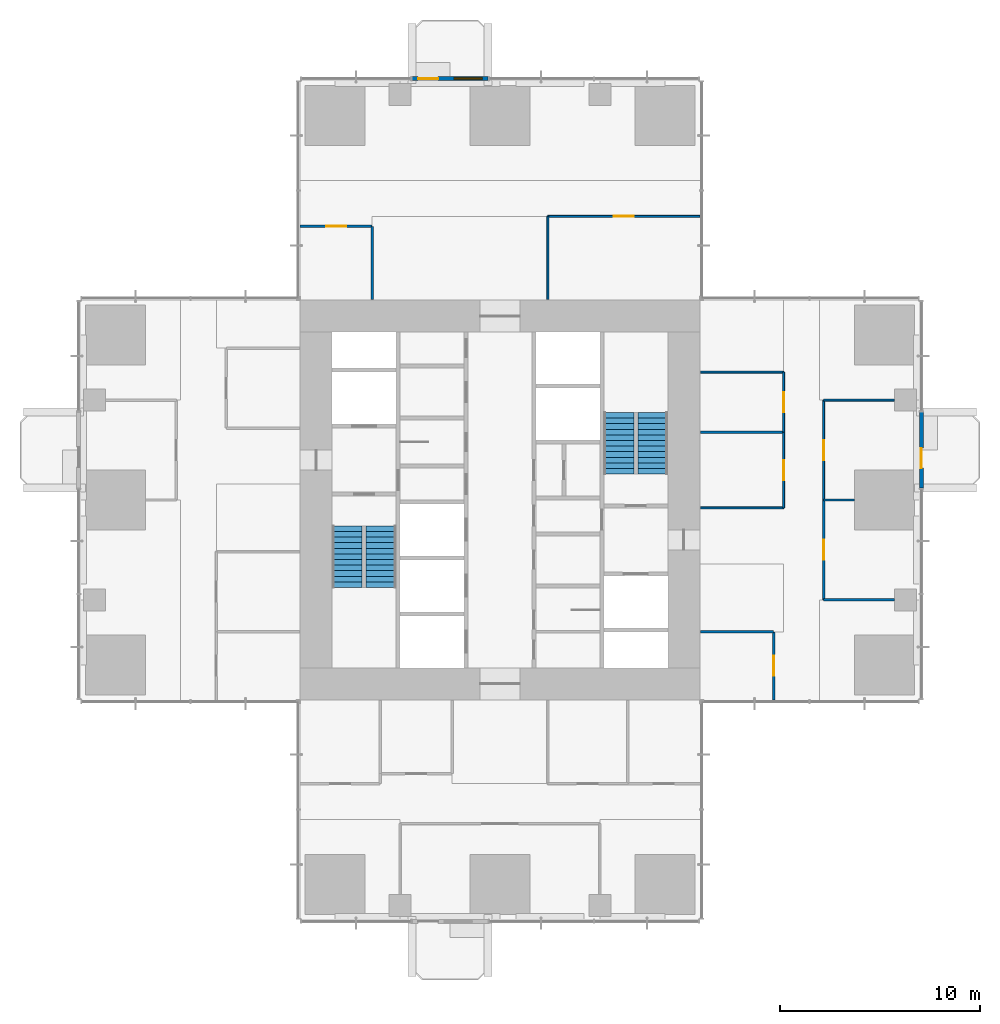
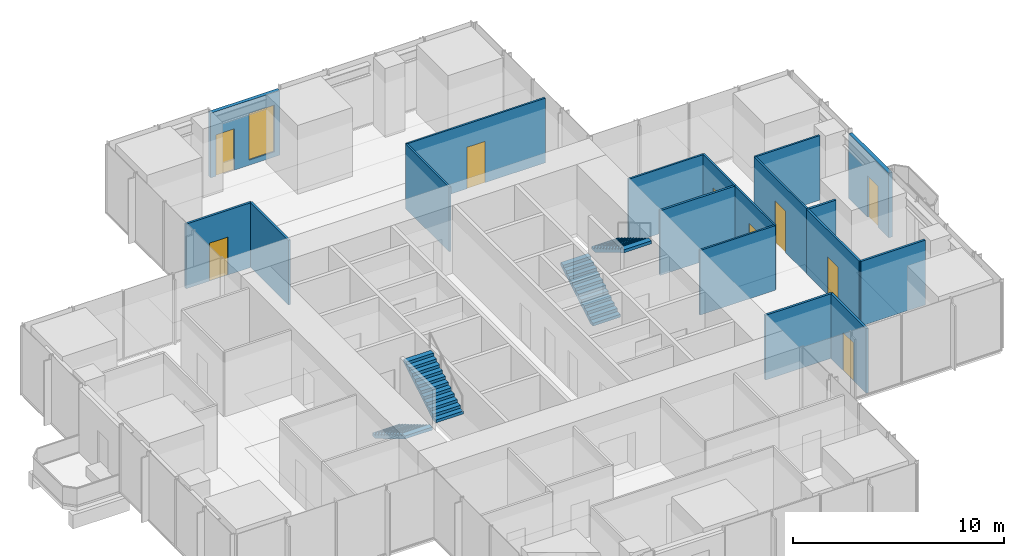
# One storey, part 10 of 13: 18 walls, 9 doors, 4 stair flights, 1 window, 10 openings, 2 elements without a shape of their own.
"""IFC4 building model written with IfcOpenShell, lengths in metres."""

from ifc_helpers import new_model, si_unit, direction, frame, frame_2d, origin, place, context, subcontext, project, spatial, polyline, rectangle, outline, extrude, material, layer, layer_set, type_object, element, fill, aggregate, save


model = new_model("IFC4")

# Units and contexts
model_context = context("Model", 3, precision=1e-05, world=origin(), true_north=direction((0.0, 1.0)))
body_context = subcontext(model_context, "Body", "Model", "MODEL_VIEW")
ifc_project = project(units=[si_unit("LENGTHUNIT", "METRE"), si_unit("AREAUNIT", "SQUARE_METRE"), si_unit("VOLUMEUNIT", "CUBIC_METRE"), si_unit("PLANEANGLEUNIT", "RADIAN"), si_unit("MASSUNIT", "GRAM", prefix="KILO")], contexts=[model_context])

# Site, building, storey
site_placement = place(None, origin())
site = spatial("IfcSite", under=ifc_project, at=site_placement, CompositionType="ELEMENT")
building_placement = place(site_placement, origin())
building = spatial("IfcBuilding", under=site, at=building_placement, Name="Svetlomir Tower", CompositionType="ELEMENT")
storey_placement = place(building_placement, frame((0.0, 0.0, 148.5)))
storey = spatial("IfcBuildingStorey", under=building, at=storey_placement, Name="L35", CompositionType="ELEMENT", Elevation=148.5)

# Wall, opening, door
ifc_material_1 = material(Name="Bronze anodised aluminium glazed screen", Category="aluminium")
ifc_layer_1 = layer(ifc_material_1, 0.199951171875)
ifc_layer_set_1 = layer_set([ifc_layer_1], Name="Bronze anodised aluminium glazed screen")
wall_type_1 = type_object("IfcWallType", Name="BALCONY SCREEN WALL 200", PredefinedType="USERDEFINED", material=ifc_layer_set_1)
wall_1_placement = place(storey_placement, frame((42.10009765625, 21.60009765625, 0.0), z_axis=(0.0, 0.0, 1.0), x_axis=(0.0, 1.0, 0.0)))
wall_1 = element("IfcWall", 1, at=wall_1_placement, inside=storey, type_object=wall_type_1, Name="Balcony screen E", ObjectType="GLAZED SCREEN", PredefinedType="USERDEFINED", context=body_context, shape_type="SweptSolid", body=[
    extrude(rectangle(XDim=3.7998046875, YDim=0.199951171875, at=frame_2d((1.89990234375, 0.0))), origin(), (0.0, 0.0, 1.0), 3.75),
])
opening_1_placement = place(wall_1_placement, frame((1.0, 0.0, 0.0)))
opening_1 = element("IfcOpeningElement", 2, at=opening_1_placement, cuts=wall_1, Name="Opening BD", PredefinedType="OPENING", context=body_context, shape_type="SweptSolid", body=[
    extrude(rectangle(XDim=1.0, YDim=2.39990234375, at=frame_2d((0.5, 1.199951171875))), frame((0.0, 0.10986328125, 0.0), z_axis=(0.0, -1.0, 0.0), x_axis=(1.0, 0.0, 0.0)), (0.0, 0.0, 1.0), 0.219970703125),
])
ifc_material_2 = material(Name="Bronze anodised aluminium glazed door", Category="aluminium")
door_type_1 = type_object("IfcDoorType", Name="BALCONY DOOR BD 1000x2400", OperationType="SINGLE_SWING_LEFT", PredefinedType="DOOR", material=ifc_material_2)
door_1_placement = place(opening_1_placement, origin())
door_1 = element("IfcDoor", 3, at=door_1_placement, inside=storey, type_object=door_type_1, Name="Balcony screen E door", OperationType="SINGLE_SWING_LEFT", OverallHeight=2.39990234375, OverallWidth=1.0, PredefinedType="DOOR", context=body_context, shape_type="SweptSolid", body=[
    extrude(rectangle(XDim=1.0, YDim=2.39990234375, at=frame_2d((0.5, 1.199951171875))), frame((0.0, 0.02490234375, 0.0), z_axis=(0.0, -1.0, 0.0), x_axis=(1.0, 0.0, 0.0)), (0.0, 0.0, 1.0), 0.050048828125),
])
fill(opening_1, door_1)

# Wall, openings, door, window
wall_2_placement = place(storey_placement, frame((20.39990234375, 42.10009765625, 0.0), z_axis=(0.0, 0.0, 1.0), x_axis=(-1.0, 0.0, 0.0)))
wall_2 = element("IfcWall", 4, at=wall_2_placement, inside=storey, type_object=wall_type_1, Name="Balcony screen N", ObjectType="GLAZED SCREEN", PredefinedType="USERDEFINED", context=body_context, shape_type="SweptSolid", body=[
    extrude(rectangle(XDim=3.7998046875, YDim=0.199951171875, at=frame_2d((1.89990234375, 0.0))), origin(), (0.0, 0.0, 1.0), 3.75),
])
opening_2_placement = place(wall_2_placement, frame((2.5, 0.0, 0.0)))
opening_2 = element("IfcOpeningElement", 5, at=opening_2_placement, cuts=wall_2, Name="Opening BD", PredefinedType="OPENING", context=body_context, shape_type="SweptSolid", body=[
    extrude(rectangle(XDim=1.0, YDim=2.39990234375, at=frame_2d((0.5, 1.199951171875))), frame((0.0, 0.10986328125, 0.0), z_axis=(0.0, -1.0, 0.0), x_axis=(1.0, 0.0, 0.0)), (0.0, 0.0, 1.0), 0.219970703125),
])
opening_3_placement = place(wall_2_placement, frame((0.300048828125, 0.0, 0.300048828125)))
opening_3 = element("IfcOpeningElement", 6, at=opening_3_placement, cuts=wall_2, Name="Opening WS2", PredefinedType="OPENING", context=body_context, shape_type="SweptSolid", body=[
    extrude(rectangle(XDim=1.39990234375, YDim=2.699951171875, at=frame_2d((0.699951171875, 1.35009765625))), frame((0.0, 0.10986328125, 0.0), z_axis=(0.0, -1.0, 0.0), x_axis=(1.0, 0.0, 0.0)), (0.0, 0.0, 1.0), 0.219970703125),
])
door_2_placement = place(opening_2_placement, origin())
door_2 = element("IfcDoor", 7, at=door_2_placement, inside=storey, type_object=door_type_1, Name="Balcony screen N door", OperationType="SINGLE_SWING_LEFT", OverallHeight=2.39990234375, OverallWidth=1.0, PredefinedType="DOOR", context=body_context, shape_type="SweptSolid", body=[
    extrude(rectangle(XDim=1.0, YDim=2.39990234375, at=frame_2d((0.5, 1.199951171875))), frame((0.0, 0.02490234375, 0.0), z_axis=(0.0, -1.0, 0.0), x_axis=(1.0, 0.0, 0.0)), (0.0, 0.0, 1.0), 0.050048828125),
])
fill(opening_2, door_2)
ifc_material_3 = material(Name="Bronze anodised aluminium window", Category="aluminium")
window_type = type_object("IfcWindowType", Name="SCREEN WINDOW WS2 1400x2700", PartitioningType="SINGLE_PANEL", PredefinedType="WINDOW", material=ifc_material_3)
window_placement = place(opening_3_placement, origin())
window = element("IfcWindow", 8, at=window_placement, inside=storey, type_object=window_type, Name="Balcony screen N window 1", OverallHeight=2.699951171875, OverallWidth=1.39990234375, PartitioningType="SINGLE_PANEL", PredefinedType="WINDOW", context=body_context, shape_type="SweptSolid", body=[
    extrude(rectangle(XDim=1.39990234375, YDim=2.699951171875, at=frame_2d((0.699951171875, 1.35009765625))), frame((0.0, 0.030029296875, 0.0), z_axis=(0.0, -1.0, 0.0), x_axis=(1.0, 0.0, 0.0)), (0.0, 0.0, 1.0), 0.06005859375),
])
fill(opening_3, window)

# Wall
ifc_material_4 = material(Name="Framed laminated glass partition", Category="glass")
ifc_layer_2 = layer(ifc_material_4, 0.10009765625)
ifc_layer_set_2 = layer_set([ifc_layer_2], Name="Framed laminated glass partition")
wall_type_2 = type_object("IfcWallType", Name="GLAZED PARTITION 100", PredefinedType="PARTITIONING", material=ifc_layer_set_2)
wall_3_placement = place(storey_placement, frame((23.39990234375, 31.050048828125, 0.0), z_axis=(0.0, 0.0, 1.0), x_axis=(0.0, 1.0, 0.0)))
element("IfcWall", 9, at=wall_3_placement, inside=storey, type_object=wall_type_2, Name="Glazed partition L35", PredefinedType="PARTITIONING", context=body_context, shape_type="SweptSolid", body=[
    extrude(rectangle(XDim=4.14990234375, YDim=0.10009765625, at=frame_2d((2.074951171875, 0.0))), origin(), (0.0, 0.0, 1.0), 3.75),
])

# Wall, opening, door
wall_4_placement = place(storey_placement, frame((23.39990234375, 35.199951171875, 0.0), z_axis=(0.0, 0.0, 1.0), x_axis=(1.0, 0.0, 0.0)))
wall_4 = element("IfcWall", 10, at=wall_4_placement, inside=storey, type_object=wall_type_2, Name="Glazed partition L35", PredefinedType="PARTITIONING", context=body_context, shape_type="SweptSolid", body=[
    extrude(rectangle(XDim=7.60009765625, YDim=0.10009765625, at=frame_2d((3.800048828125, 0.0))), origin(), (0.0, 0.0, 1.0), 3.75),
])
opening_4_placement = place(wall_4_placement, frame((3.300048828125, 0.0, 0.0)))
opening_4 = element("IfcOpeningElement", 11, at=opening_4_placement, cuts=wall_4, Name="Opening DG", PredefinedType="OPENING", context=body_context, shape_type="SweptSolid", body=[
    extrude(rectangle(XDim=1.0, YDim=2.39990234375, at=frame_2d((0.5, 1.199951171875))), frame((0.0, 0.06005859375, 0.0), z_axis=(0.0, -1.0, 0.0), x_axis=(1.0, 0.0, 0.0)), (0.0, 0.0, 1.0), 0.1201171875),
])
ifc_material_5 = material(Name="Framed laminated glass door", Category="glass")
door_type_2 = type_object("IfcDoorType", Name="GLAZED DOOR DG 1000x2400", OperationType="SINGLE_SWING_LEFT", PredefinedType="DOOR", material=ifc_material_5)
door_3_placement = place(opening_4_placement, origin())
door_3 = element("IfcDoor", 12, at=door_3_placement, inside=storey, type_object=door_type_2, Name="Risk committee room, 12 seats door L35", OperationType="SINGLE_SWING_RIGHT", OverallHeight=2.39990234375, OverallWidth=1.0, PredefinedType="DOOR", context=body_context, shape_type="SweptSolid", body=[
    extrude(rectangle(XDim=1.0, YDim=2.39990234375, at=frame_2d((0.5, 1.199951171875))), frame((0.0, 0.02490234375, 0.0), z_axis=(0.0, -1.0, 0.0), x_axis=(1.0, 0.0, 0.0)), (0.0, 0.0, 1.0), 0.050048828125),
])
fill(opening_4, door_3)

# Walls
for number, where, z_axis, x_axis, name in (
    (13, (31.050048828125, 20.60009765625, 0.0), (0.0, 0.0, 1.0), (1.0, 0.0, 0.0), "Glazed partition L35"),
    (14, (31.050048828125, 27.39990234375, 0.0), (0.0, 0.0, 1.0), (1.0, 0.0, 0.0), "Glazed partition L35"),
):
    element("IfcWall", number, at=place(storey_placement, frame(where, z_axis=z_axis, x_axis=x_axis)), inside=storey, type_object=wall_type_2, Name=name, PredefinedType="PARTITIONING", context=body_context, shape_type="SweptSolid", body=[
        extrude(rectangle(XDim=4.14990234375, YDim=0.10009765625, at=frame_2d((2.074951171875, 0.0))), origin(), (0.0, 0.0, 1.0), 3.75),
    ])

# Wall, opening, door
wall_5_placement = place(storey_placement, frame((35.199951171875, 20.60009765625, 0.0), z_axis=(0.0, 0.0, 1.0), x_axis=(0.0, 1.0, 0.0)))
wall_5 = element("IfcWall", 15, at=wall_5_placement, inside=storey, type_object=wall_type_2, Name="Glazed partition L35", PredefinedType="PARTITIONING", context=body_context, shape_type="SweptSolid", body=[
    extrude(rectangle(XDim=3.7998046875, YDim=0.10009765625, at=frame_2d((1.89990234375, 0.0))), origin(), (0.0, 0.0, 1.0), 3.75),
])
opening_5_placement = place(wall_5_placement, frame((1.39990234375, 0.0, 0.0)))
opening_5 = element("IfcOpeningElement", 16, at=opening_5_placement, cuts=wall_5, Name="Opening DG", PredefinedType="OPENING", context=body_context, shape_type="SweptSolid", body=[
    extrude(rectangle(XDim=1.0, YDim=2.39990234375, at=frame_2d((0.5, 1.199951171875))), frame((0.0, 0.06005859375, 0.0), z_axis=(0.0, -1.0, 0.0), x_axis=(1.0, 0.0, 0.0)), (0.0, 0.0, 1.0), 0.1201171875),
])
door_4_placement = place(opening_5_placement, origin())
door_4 = element("IfcDoor", 17, at=door_4_placement, inside=storey, type_object=door_type_2, Name="Meeting room, 6 seats door L35", OperationType="SINGLE_SWING_LEFT", OverallHeight=2.39990234375, OverallWidth=1.0, PredefinedType="DOOR", context=body_context, shape_type="SweptSolid", body=[
    extrude(rectangle(XDim=1.0, YDim=2.39990234375, at=frame_2d((0.5, 1.199951171875))), frame((0.0, 0.02490234375, 0.0), z_axis=(0.0, -1.0, 0.0), x_axis=(1.0, 0.0, 0.0)), (0.0, 0.0, 1.0), 0.050048828125),
])
fill(opening_5, door_4)

wall_6_placement = place(storey_placement, frame((35.199951171875, 24.39990234375, 0.0), z_axis=(0.0, 0.0, 1.0), x_axis=(0.0, 1.0, 0.0)))
wall_6 = element("IfcWall", 18, at=wall_6_placement, inside=storey, type_object=wall_type_2, Name="Glazed partition L35", PredefinedType="PARTITIONING", context=body_context, shape_type="SweptSolid", body=[
    extrude(rectangle(XDim=3.0, YDim=0.10009765625, at=frame_2d((1.5, 0.0))), origin(), (0.0, 0.0, 1.0), 3.75),
])
opening_6_placement = place(wall_6_placement, frame((1.0, 0.0, 0.0)))
opening_6 = element("IfcOpeningElement", 19, at=opening_6_placement, cuts=wall_6, Name="Opening DG", PredefinedType="OPENING", context=body_context, shape_type="SweptSolid", body=[
    extrude(rectangle(XDim=1.0, YDim=2.39990234375, at=frame_2d((0.5, 1.199951171875))), frame((0.0, 0.06005859375, 0.0), z_axis=(0.0, -1.0, 0.0), x_axis=(1.0, 0.0, 0.0)), (0.0, 0.0, 1.0), 0.1201171875),
])
door_5_placement = place(opening_6_placement, origin())
door_5 = element("IfcDoor", 20, at=door_5_placement, inside=storey, type_object=door_type_2, Name="Focus room 2 door L35", OperationType="SINGLE_SWING_RIGHT", OverallHeight=2.39990234375, OverallWidth=1.0, PredefinedType="DOOR", context=body_context, shape_type="SweptSolid", body=[
    extrude(rectangle(XDim=1.0, YDim=2.39990234375, at=frame_2d((0.5, 1.199951171875))), frame((0.0, 0.02490234375, 0.0), z_axis=(0.0, -1.0, 0.0), x_axis=(1.0, 0.0, 0.0)), (0.0, 0.0, 1.0), 0.050048828125),
])
fill(opening_6, door_5)

wall_7_placement = place(storey_placement, frame((37.199951171875, 21.0, 0.0), z_axis=(0.0, 0.0, 1.0), x_axis=(0.0, 1.0, 0.0)))
wall_7 = element("IfcWall", 21, at=wall_7_placement, inside=storey, type_object=wall_type_2, Name="Glazed partition L35", PredefinedType="PARTITIONING", context=body_context, shape_type="SweptSolid", body=[
    extrude(rectangle(XDim=5.0, YDim=0.10009765625, at=frame_2d((2.5, 0.0))), origin(), (0.0, 0.0, 1.0), 3.75),
])
opening_7_placement = place(wall_7_placement, frame((2.0, 0.0, 0.0)))
opening_7 = element("IfcOpeningElement", 22, at=opening_7_placement, cuts=wall_7, Name="Opening DG", PredefinedType="OPENING", context=body_context, shape_type="SweptSolid", body=[
    extrude(rectangle(XDim=1.0, YDim=2.39990234375, at=frame_2d((0.5, 1.199951171875))), frame((0.0, 0.06005859375, 0.0), z_axis=(0.0, -1.0, 0.0), x_axis=(1.0, 0.0, 0.0)), (0.0, 0.0, 1.0), 0.1201171875),
])
door_6_placement = place(opening_7_placement, origin())
door_6 = element("IfcDoor", 23, at=door_6_placement, inside=storey, type_object=door_type_2, Name="Break-out and kitchenette door L35", OperationType="SINGLE_SWING_RIGHT", OverallHeight=2.39990234375, OverallWidth=1.0, PredefinedType="DOOR", context=body_context, shape_type="SweptSolid", body=[
    extrude(rectangle(XDim=1.0, YDim=2.39990234375, at=frame_2d((0.5, 1.199951171875))), frame((0.0, 0.02490234375, 0.0), z_axis=(0.0, -1.0, 0.0), x_axis=(1.0, 0.0, 0.0)), (0.0, 0.0, 1.0), 0.050048828125),
])
fill(opening_7, door_6)

# Wall
wall_8_placement = place(storey_placement, frame((37.199951171875, 26.0, 0.0), z_axis=(0.0, 0.0, 1.0), x_axis=(1.0, 0.0, 0.0)))
element("IfcWall", 24, at=wall_8_placement, inside=storey, type_object=wall_type_2, Name="Glazed partition L35", PredefinedType="PARTITIONING", context=body_context, shape_type="SweptSolid", body=[
    extrude(rectangle(XDim=3.5400390625, YDim=0.10009765625, at=frame_2d((1.77001953125, 0.0))), origin(), (0.0, 0.0, 1.0), 3.75),
])

# Wall, opening, door
ifc_material_6 = material(Name="Gypsum board on steel studs", Category="steel")
ifc_layer_3 = layer(ifc_material_6, 0.1201171875)
ifc_layer_set_3 = layer_set([ifc_layer_3], Name="Gypsum board on steel studs")
wall_type_3 = type_object("IfcWallType", Name="PARTITION 120", PredefinedType="PARTITIONING", material=ifc_layer_set_3)
wall_9_placement = place(storey_placement, frame((11.0, 34.699951171875, 0.0), z_axis=(0.0, 0.0, 1.0), x_axis=(1.0, 0.0, 0.0)))
wall_9 = element("IfcWall", 25, at=wall_9_placement, inside=storey, type_object=wall_type_3, Name="Partition L35", PredefinedType="PARTITIONING", context=body_context, shape_type="SweptSolid", body=[
    extrude(rectangle(XDim=3.60009765625, YDim=0.1201171875, at=frame_2d((1.800048828125, 0.0))), origin(), (0.0, 0.0, 1.0), 3.75),
])
opening_8_placement = place(wall_9_placement, frame((1.300048828125, 0.0, 0.0)))
opening_8 = element("IfcOpeningElement", 26, at=opening_8_placement, cuts=wall_9, Name="Opening DR", PredefinedType="OPENING", context=body_context, shape_type="SweptSolid", body=[
    extrude(rectangle(XDim=1.0, YDim=2.199951171875, at=frame_2d((0.5, 1.10009765625))), frame((0.0, 0.070068359375, 0.0), z_axis=(0.0, -1.0, 0.0), x_axis=(1.0, 0.0, 0.0)), (0.0, 0.0, 1.0), 0.14013671875),
])
ifc_material_7 = material(Name="Timber door, glazed side light", Category="wood")
door_type_3 = type_object("IfcDoorType", Name="DOOR DR 1000x2200", OperationType="SINGLE_SWING_LEFT", PredefinedType="DOOR", material=ifc_material_7)
door_7_placement = place(opening_8_placement, origin())
door_7 = element("IfcDoor", 27, at=door_7_placement, inside=storey, type_object=door_type_3, Name="Store door L35", OperationType="SINGLE_SWING_RIGHT", OverallHeight=2.199951171875, OverallWidth=1.0, PredefinedType="DOOR", context=body_context, shape_type="SweptSolid", body=[
    extrude(rectangle(XDim=1.0, YDim=2.199951171875, at=frame_2d((0.5, 1.10009765625))), frame((0.0, 0.02490234375, 0.0), z_axis=(0.0, -1.0, 0.0), x_axis=(1.0, 0.0, 0.0)), (0.0, 0.0, 1.0), 0.050048828125),
])
fill(opening_8, door_7)

# Walls
for number, where, z_axis, x_axis, name in (
    (28, (14.60009765625, 31.050048828125, 0.0), (0.0, 0.0, 1.0), (0.0, 1.0, 0.0), "Partition L35"),
    (29, (31.050048828125, 14.39990234375, 0.0), (0.0, 0.0, 1.0), (1.0, 0.0, 0.0), "Partition L35"),
):
    element("IfcWall", number, at=place(storey_placement, frame(where, z_axis=z_axis, x_axis=x_axis)), inside=storey, type_object=wall_type_3, Name=name, PredefinedType="PARTITIONING", context=body_context, shape_type="SweptSolid", body=[
        extrude(rectangle(XDim=3.64990234375, YDim=0.1201171875, at=frame_2d((1.824951171875, 0.0))), origin(), (0.0, 0.0, 1.0), 3.75),
    ])
wall_10_placement = place(storey_placement, frame((31.050048828125, 24.39990234375, 0.0), z_axis=(0.0, 0.0, 1.0), x_axis=(1.0, 0.0, 0.0)))
element("IfcWall", 30, at=wall_10_placement, inside=storey, type_object=wall_type_3, Name="Partition L35", PredefinedType="PARTITIONING", context=body_context, shape_type="SweptSolid", body=[
    extrude(rectangle(XDim=4.14990234375, YDim=0.1201171875, at=frame_2d((2.074951171875, 0.0))), origin(), (0.0, 0.0, 1.0), 3.75),
])

# Wall, opening, door
wall_11_placement = place(storey_placement, frame((34.699951171875, 11.0, 0.0), z_axis=(0.0, 0.0, 1.0), x_axis=(0.0, 1.0, 0.0)))
wall_11 = element("IfcWall", 31, at=wall_11_placement, inside=storey, type_object=wall_type_3, Name="Partition L35", PredefinedType="PARTITIONING", context=body_context, shape_type="SweptSolid", body=[
    extrude(rectangle(XDim=3.39990234375, YDim=0.1201171875, at=frame_2d((1.699951171875, 0.0))), origin(), (0.0, 0.0, 1.0), 3.75),
])
opening_9_placement = place(wall_11_placement, frame((1.199951171875, 0.0, 0.0)))
opening_9 = element("IfcOpeningElement", 32, at=opening_9_placement, cuts=wall_11, Name="Opening DR", PredefinedType="OPENING", context=body_context, shape_type="SweptSolid", body=[
    extrude(rectangle(XDim=1.0, YDim=2.199951171875, at=frame_2d((0.5, 1.10009765625))), frame((0.0, 0.070068359375, 0.0), z_axis=(0.0, -1.0, 0.0), x_axis=(1.0, 0.0, 0.0)), (0.0, 0.0, 1.0), 0.14013671875),
])
door_8_placement = place(opening_9_placement, origin())
door_8 = element("IfcDoor", 33, at=door_8_placement, inside=storey, type_object=door_type_3, Name="Print and copy room door L35", OperationType="SINGLE_SWING_RIGHT", OverallHeight=2.199951171875, OverallWidth=1.0, PredefinedType="DOOR", context=body_context, shape_type="SweptSolid", body=[
    extrude(rectangle(XDim=1.0, YDim=2.199951171875, at=frame_2d((0.5, 1.10009765625))), frame((0.0, 0.02490234375, 0.0), z_axis=(0.0, -1.0, 0.0), x_axis=(1.0, 0.0, 0.0)), (0.0, 0.0, 1.0), 0.050048828125),
])
fill(opening_9, door_8)

wall_12_placement = place(storey_placement, frame((37.199951171875, 16.0, 0.0), z_axis=(0.0, 0.0, 1.0), x_axis=(0.0, 1.0, 0.0)))
wall_12 = element("IfcWall", 34, at=wall_12_placement, inside=storey, type_object=wall_type_3, Name="Partition L35", PredefinedType="PARTITIONING", context=body_context, shape_type="SweptSolid", body=[
    extrude(rectangle(XDim=5.0, YDim=0.1201171875, at=frame_2d((2.5, 0.0))), origin(), (0.0, 0.0, 1.0), 3.75),
])
opening_10_placement = place(wall_12_placement, frame((2.0, 0.0, 0.0)))
opening_10 = element("IfcOpeningElement", 35, at=opening_10_placement, cuts=wall_12, Name="Opening DR", PredefinedType="OPENING", context=body_context, shape_type="SweptSolid", body=[
    extrude(rectangle(XDim=1.0, YDim=2.199951171875, at=frame_2d((0.5, 1.10009765625))), frame((0.0, 0.070068359375, 0.0), z_axis=(0.0, -1.0, 0.0), x_axis=(1.0, 0.0, 0.0)), (0.0, 0.0, 1.0), 0.14013671875),
])
door_9_placement = place(opening_10_placement, origin())
door_9 = element("IfcDoor", 36, at=door_9_placement, inside=storey, type_object=door_type_3, Name="Risk analysts office door L35", OperationType="SINGLE_SWING_RIGHT", OverallHeight=2.199951171875, OverallWidth=1.0, PredefinedType="DOOR", context=body_context, shape_type="SweptSolid", body=[
    extrude(rectangle(XDim=1.0, YDim=2.199951171875, at=frame_2d((0.5, 1.10009765625))), frame((0.0, 0.02490234375, 0.0), z_axis=(0.0, -1.0, 0.0), x_axis=(1.0, 0.0, 0.0)), (0.0, 0.0, 1.0), 0.050048828125),
])
fill(opening_10, door_9)

# Walls
wall_13_placement = place(storey_placement, frame((37.199951171875, 16.0, 0.0), z_axis=(0.0, 0.0, 1.0), x_axis=(1.0, 0.0, 0.0)))
element("IfcWall", 37, at=wall_13_placement, inside=storey, type_object=wall_type_3, Name="Partition L35", PredefinedType="PARTITIONING", context=body_context, shape_type="SweptSolid", body=[
    extrude(rectangle(XDim=3.5400390625, YDim=0.1201171875, at=frame_2d((1.77001953125, 0.0))), origin(), (0.0, 0.0, 1.0), 3.75),
])
wall_14_placement = place(storey_placement, frame((37.199951171875, 21.0, 0.0), z_axis=(0.0, 0.0, 1.0), x_axis=(1.0, 0.0, 0.0)))
element("IfcWall", 38, at=wall_14_placement, inside=storey, type_object=wall_type_3, Name="Partition L35", PredefinedType="PARTITIONING", context=body_context, shape_type="SweptSolid", body=[
    extrude(rectangle(XDim=1.5400390625, YDim=0.1201171875, at=frame_2d((0.77001953125, 0.0))), origin(), (0.0, 0.0, 1.0), 3.75),
])

# Stair, stair flights
ifc_material_8 = material(Name="Concrete C60/75", Category="concrete")
stair_type = type_object("IfcStairType", Name="EXIT STAIR 3200 RISE 4000", PredefinedType="HALF_TURN_STAIR", material=ifc_material_8)
stair_1_placement = place(storey_placement, origin())
stair_1 = element("IfcStair", 39, at=stair_1_placement, inside=storey, type_object=stair_type, Name="Stair S1 L35 to L36", PredefinedType="HALF_TURN_STAIR")
ifc_material_9 = material(Name="Concrete C60/75", Category="concrete")
stair_flight_type = type_object("IfcStairFlightType", Name="STAIR FLIGHT 1500 OF 12 RISERS", PredefinedType="STRAIGHT", material=ifc_material_9)
stair_flight_1_placement = place(storey_placement, frame((13.35009765625, 19.699951171875, 0.0), z_axis=(0.0, 0.0, 1.0), x_axis=(0.0, -1.0, 0.0)))
stair_flight_1 = element("IfcStairFlight", 40, at=stair_flight_1_placement, type_object=stair_flight_type, Name="S1 flight 1", NumberOfRisers=12, NumberOfTreads=11, PredefinedType="STRAIGHT", RiserHeight=0.166666667, TreadLength=0.28, context=body_context, shape_type="SweptSolid", body=[
    extrude(outline(polyline([(0.0, 0.0), (0.0, 0.166748046875), (0.280029296875, 0.166748046875), (0.280029296875, 0.333251953125), (0.56005859375, 0.333251953125), (0.56005859375, 0.5), (0.840087890625, 0.5), (0.840087890625, 0.666748046875), (1.1201171875, 0.666748046875), (1.1201171875, 0.833251953125), (1.39990234375, 0.833251953125), (1.39990234375, 1.0), (1.679931640625, 1.0), (1.679931640625, 1.166748046875), (1.9599609375, 1.166748046875), (1.9599609375, 1.333251953125), (2.239990234375, 1.333251953125), (2.239990234375, 1.5), (2.52001953125, 1.5), (2.52001953125, 1.666748046875), (2.800048828125, 1.666748046875), (2.800048828125, 1.833251953125), (3.080078125, 1.833251953125), (3.080078125, 2.0), (3.080078125, 1.658935546875), (0.29296875, 0.0), (0.0, 0.0)])), frame((0.0, 0.75, 0.0), z_axis=(0.0, -1.0, 0.0), x_axis=(1.0, 0.0, 0.0)), (0.0, 0.0, 1.0), 1.5),
])
stair_flight_2_placement = place(storey_placement, frame((15.050048828125, 16.6201171875, 2.0), z_axis=(0.0, 0.0, 1.0), x_axis=(0.0, 1.0, 0.0)))
stair_flight_2 = element("IfcStairFlight", 41, at=stair_flight_2_placement, type_object=stair_flight_type, Name="S1 flight 2", NumberOfRisers=12, NumberOfTreads=11, PredefinedType="STRAIGHT", RiserHeight=0.166666667, TreadLength=0.28, context=body_context, shape_type="SweptSolid", body=[
    extrude(outline(polyline([(0.0, 0.0), (0.0, 0.166748046875), (0.280029296875, 0.166748046875), (0.280029296875, 0.333251953125), (0.56005859375, 0.333251953125), (0.56005859375, 0.5), (0.840087890625, 0.5), (0.840087890625, 0.666748046875), (1.1201171875, 0.666748046875), (1.1201171875, 0.833251953125), (1.39990234375, 0.833251953125), (1.39990234375, 1.0), (1.679931640625, 1.0), (1.679931640625, 1.166748046875), (1.9599609375, 1.166748046875), (1.9599609375, 1.333251953125), (2.239990234375, 1.333251953125), (2.239990234375, 1.5), (2.52001953125, 1.5), (2.52001953125, 1.666748046875), (2.800048828125, 1.666748046875), (2.800048828125, 1.833251953125), (3.080078125, 1.833251953125), (3.080078125, 2.0), (3.080078125, 1.658935546875), (0.29296875, 0.0), (0.0, 0.0)])), frame((0.0, 0.75, 0.0), z_axis=(0.0, -1.0, 0.0), x_axis=(1.0, 0.0, 0.0)), (0.0, 0.0, 1.0), 1.5),
])
aggregate(stair_1, [stair_flight_1, stair_flight_2])

stair_2_placement = place(storey_placement, origin())
stair_2 = element("IfcStair", 42, at=stair_2_placement, inside=storey, type_object=stair_type, Name="Stair S2 L35 to L36", PredefinedType="HALF_TURN_STAIR")
stair_flight_3_placement = place(storey_placement, frame((26.949951171875, 22.300048828125, 0.0), z_axis=(0.0, 0.0, 1.0), x_axis=(0.0, 1.0, 0.0)))
stair_flight_3 = element("IfcStairFlight", 43, at=stair_flight_3_placement, type_object=stair_flight_type, Name="S2 flight 1", NumberOfRisers=12, NumberOfTreads=11, PredefinedType="STRAIGHT", RiserHeight=0.166666667, TreadLength=0.28, context=body_context, shape_type="SweptSolid", body=[
    extrude(outline(polyline([(0.0, 0.0), (0.0, 0.166748046875), (0.280029296875, 0.166748046875), (0.280029296875, 0.333251953125), (0.56005859375, 0.333251953125), (0.56005859375, 0.5), (0.840087890625, 0.5), (0.840087890625, 0.666748046875), (1.1201171875, 0.666748046875), (1.1201171875, 0.833251953125), (1.39990234375, 0.833251953125), (1.39990234375, 1.0), (1.679931640625, 1.0), (1.679931640625, 1.166748046875), (1.9599609375, 1.166748046875), (1.9599609375, 1.333251953125), (2.239990234375, 1.333251953125), (2.239990234375, 1.5), (2.52001953125, 1.5), (2.52001953125, 1.666748046875), (2.800048828125, 1.666748046875), (2.800048828125, 1.833251953125), (3.080078125, 1.833251953125), (3.080078125, 2.0), (3.080078125, 1.658935546875), (0.29296875, 0.0), (0.0, 0.0)])), frame((0.0, 0.75, 0.0), z_axis=(0.0, -1.0, 0.0), x_axis=(1.0, 0.0, 0.0)), (0.0, 0.0, 1.0), 1.5),
])
stair_flight_4_placement = place(storey_placement, frame((28.64990234375, 25.3798828125, 2.0), z_axis=(0.0, 0.0, 1.0), x_axis=(0.0, -1.0, 0.0)))
stair_flight_4 = element("IfcStairFlight", 44, at=stair_flight_4_placement, type_object=stair_flight_type, Name="S2 flight 2", NumberOfRisers=12, NumberOfTreads=11, PredefinedType="STRAIGHT", RiserHeight=0.166666667, TreadLength=0.28, context=body_context, shape_type="SweptSolid", body=[
    extrude(outline(polyline([(0.0, 0.0), (0.0, 0.166748046875), (0.280029296875, 0.166748046875), (0.280029296875, 0.333251953125), (0.56005859375, 0.333251953125), (0.56005859375, 0.5), (0.840087890625, 0.5), (0.840087890625, 0.666748046875), (1.1201171875, 0.666748046875), (1.1201171875, 0.833251953125), (1.39990234375, 0.833251953125), (1.39990234375, 1.0), (1.679931640625, 1.0), (1.679931640625, 1.166748046875), (1.9599609375, 1.166748046875), (1.9599609375, 1.333251953125), (2.239990234375, 1.333251953125), (2.239990234375, 1.5), (2.52001953125, 1.5), (2.52001953125, 1.666748046875), (2.800048828125, 1.666748046875), (2.800048828125, 1.833251953125), (3.080078125, 1.833251953125), (3.080078125, 2.0), (3.080078125, 1.658935546875), (0.29296875, 0.0), (0.0, 0.0)])), frame((0.0, 0.75, 0.0), z_axis=(0.0, -1.0, 0.0), x_axis=(1.0, 0.0, 0.0)), (0.0, 0.0, 1.0), 1.5),
])
aggregate(stair_2, [stair_flight_3, stair_flight_4])

save(model, "model.ifc")
